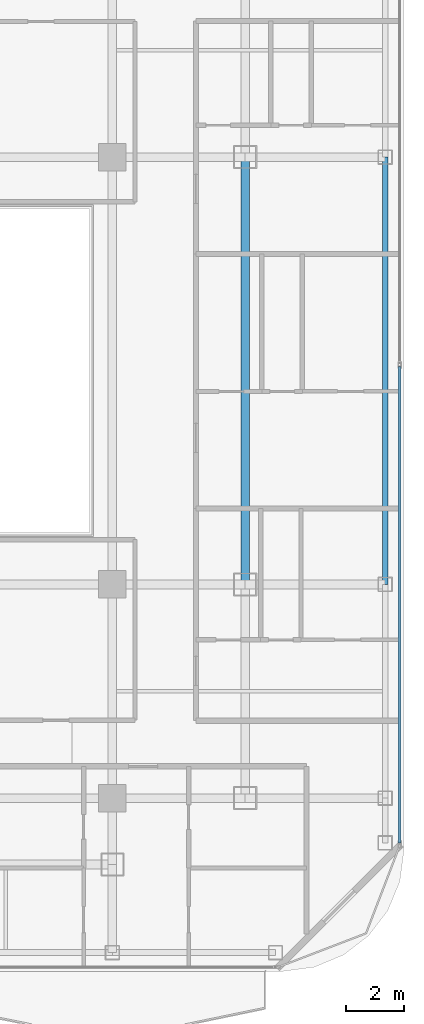
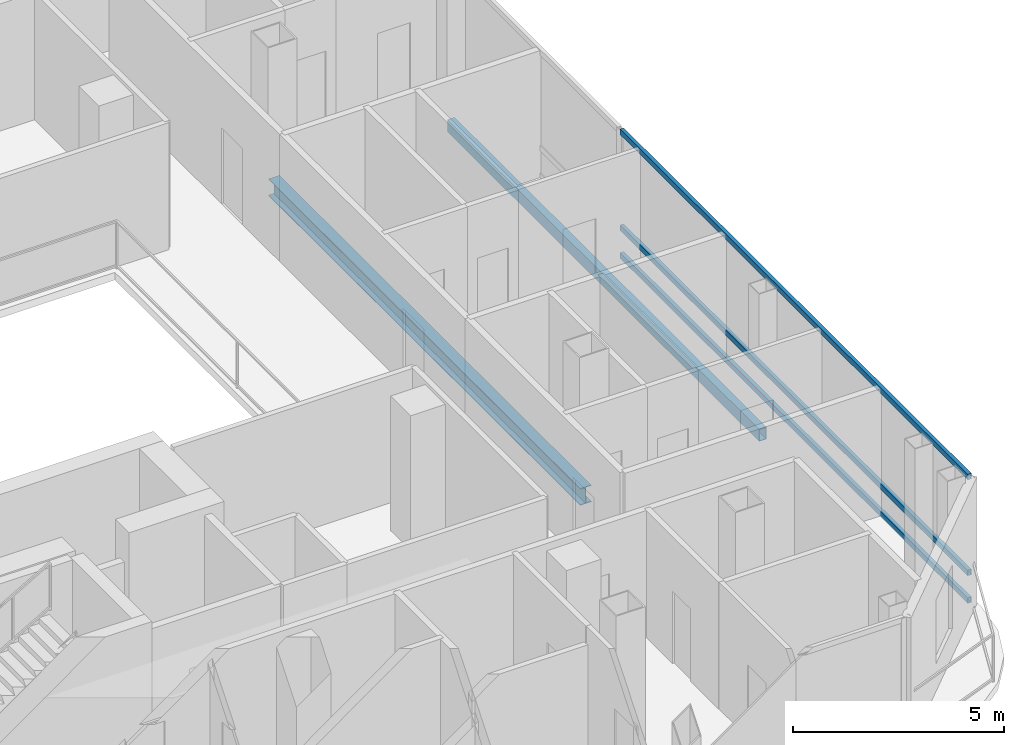
# One storey, part 9 of 24: 3 members, 2 beams, 1 element without a shape of its own.
"""IFC4 building model written with IfcOpenShell, lengths in metres."""

from ifc_helpers import new_model, si_unit, direction, frame, origin, origin_2d, place, context, subcontext, project, spatial, hollow_rectangle, i_section, extrude, material, layer, layer_set, material_profile, profile_set, type_object, element, aggregate, save


model = new_model("IFC4")

# Units and contexts
model_context = context("Model", 3, precision=1e-05, world=origin(), true_north=direction((0.0, 1.0)))
body_context = subcontext(model_context, "Body", "Model", "MODEL_VIEW")
ifc_project = project(units=[si_unit("LENGTHUNIT", "METRE"), si_unit("AREAUNIT", "SQUARE_METRE"), si_unit("VOLUMEUNIT", "CUBIC_METRE"), si_unit("PLANEANGLEUNIT", "RADIAN"), si_unit("MASSUNIT", "GRAM", prefix="KILO")], contexts=[model_context])

# Site, building, storey
site_placement = place(None, origin())
site = spatial("IfcSite", under=ifc_project, at=site_placement, CompositionType="ELEMENT")
building_placement = place(site_placement, origin())
building = spatial("IfcBuilding", under=site, at=building_placement, Name="Khorvyn Point Tower", CompositionType="ELEMENT")
storey_placement = place(building_placement, frame((0.0, 0.0, 266.39990234375)))
storey = spatial("IfcBuildingStorey", under=building, at=storey_placement, Name="L65", CompositionType="ELEMENT", Elevation=266.39990234375)

# Curtain wall, members
ifc_material_1 = material(Name="Anodised aluminium 6063-T6 and laminated Low-E glass", Category="aluminium")
ifc_layer = layer(ifc_material_1, 0.18994140625)
ifc_layer_set = layer_set([ifc_layer], Name="Stick-Built High-Wind Curtain Wall CW-SYS-04")
curtain_wall_type = type_object("IfcCurtainWallType", Name="Stick-Built High-Wind Curtain Wall CW-SYS-04", PredefinedType="NOTDEFINED", material=ifc_layer_set)
curtain_wall_placement = place(storey_placement, origin())
curtain_wall = element("IfcCurtainWall", 1, at=curtain_wall_placement, inside=storey, type_object=curtain_wall_type, Name="Curtain Wall", PredefinedType="NOTDEFINED")
ifc_material_2 = material(Name="Anodised aluminium 6063-T6", Category="aluminium")
ifc_material_profile_1 = material_profile(ifc_material_2, hollow_rectangle(XDim=0.10009765625, YDim=0.159912109375, WallThickness=0.00439453125, at=origin_2d()))
ifc_profile_set_1 = profile_set([ifc_material_profile_1], Name="Anodised aluminium 6063-T6 ALU-TRN-100x160")
member_type = type_object("IfcMemberType", Name="Anodised Aluminium 6063-T6 Transom ALU-TRN-100x160", PredefinedType="USERDEFINED", material=ifc_profile_set_1)
member_1_placement = place(storey_placement, frame((24.75, 0.14990234375, 0.050048828125), z_axis=(0.0, -1.0, 0.0), x_axis=(1.0, 0.0, 0.0)))
member_1 = element("IfcMember", 2, at=member_1_placement, type_object=member_type, Name="Transom", ObjectType="TRANSOM", PredefinedType="USERDEFINED", context=body_context, shape_type="SweptSolid", body=[
    extrude(hollow_rectangle(XDim=0.10009765625, YDim=0.159912109375, WallThickness=0.00439453125, at=origin_2d()), origin(), (0.0, 0.0, 1.0), 16.5),
])
member_2_placement = place(storey_placement, frame((24.75, 0.14990234375, 0.85009765625), z_axis=(0.0, -1.0, 0.0), x_axis=(1.0, 0.0, 0.0)))
member_2 = element("IfcMember", 3, at=member_2_placement, type_object=member_type, Name="Transom", ObjectType="TRANSOM", PredefinedType="USERDEFINED", context=body_context, shape_type="SweptSolid", body=[
    extrude(hollow_rectangle(XDim=0.10009765625, YDim=0.159912109375, WallThickness=0.00439453125, at=origin_2d()), origin(), (0.0, 0.0, 1.0), 16.5),
])
member_3_placement = place(storey_placement, frame((24.75, 0.14990234375, 3.630126953125), z_axis=(0.0, -1.0, 0.0), x_axis=(1.0, 0.0, 0.0)))
member_3 = element("IfcMember", 4, at=member_3_placement, type_object=member_type, Name="Transom", ObjectType="TRANSOM", PredefinedType="USERDEFINED", context=body_context, shape_type="SweptSolid", body=[
    extrude(hollow_rectangle(XDim=0.10009765625, YDim=0.159912109375, WallThickness=0.00439453125, at=origin_2d()), origin(), (0.0, 0.0, 1.0), 16.5),
])
aggregate(curtain_wall, [member_1, member_2, member_3])

# Beams
ifc_material_3 = material(Name="Steel S355", Category="steel")
ifc_material_profile_2 = material_profile(ifc_material_3, i_section(OverallWidth=0.300048828125, OverallDepth=0.488037109375, WebThickness=0.010986328125, FlangeThickness=0.01806640625, at=origin_2d()))
ifc_profile_set_2 = profile_set([ifc_material_profile_2], Name="Steel S355 H488x300x11x18")
beam_type_1 = type_object("IfcBeamType", Name="Steel S355 Spandrel H488x300x11x18", PredefinedType="SPANDREL", material=ifc_profile_set_2)
beam_1_placement = place(storey_placement, frame((19.39990234375, -7.39990234375, -0.4638671875), z_axis=(0.0, 1.0, 0.0), x_axis=(-1.0, 0.0, 0.0)))
element("IfcBeam", 5, at=beam_1_placement, inside=storey, type_object=beam_type_1, Name="Beam", PredefinedType="SPANDREL", context=body_context, shape_type="SweptSolid", body=[
    extrude(i_section(OverallWidth=0.300048828125, OverallDepth=0.488037109375, WebThickness=0.010986328125, FlangeThickness=0.01806640625, at=origin_2d()), origin(), (0.0, 0.0, 1.0), 14.7998046875),
])
ifc_material_profile_3 = material_profile(ifc_material_3, hollow_rectangle(XDim=0.199951171875, YDim=0.35009765625, WallThickness=0.013916015625, at=origin_2d()))
ifc_profile_set_3 = profile_set([ifc_material_profile_3], Name="Steel S355 RHS350x200x14")
beam_type_2 = type_object("IfcBeamType", Name="Steel S355 Spandrel RHS350x200x14", PredefinedType="SPANDREL", material=ifc_profile_set_3)
beam_2_placement = place(storey_placement, frame((24.25, -7.39990234375, -0.39501953125), z_axis=(0.0, 1.0, 0.0), x_axis=(-1.0, 0.0, 0.0)))
element("IfcBeam", 6, at=beam_2_placement, inside=storey, type_object=beam_type_2, Name="Beam", PredefinedType="SPANDREL", context=body_context, shape_type="SweptSolid", body=[
    extrude(hollow_rectangle(XDim=0.199951171875, YDim=0.35009765625, WallThickness=0.013916015625, at=origin_2d()), origin(), (0.0, 0.0, 1.0), 14.7998046875),
])

save(model, "model.ifc")
